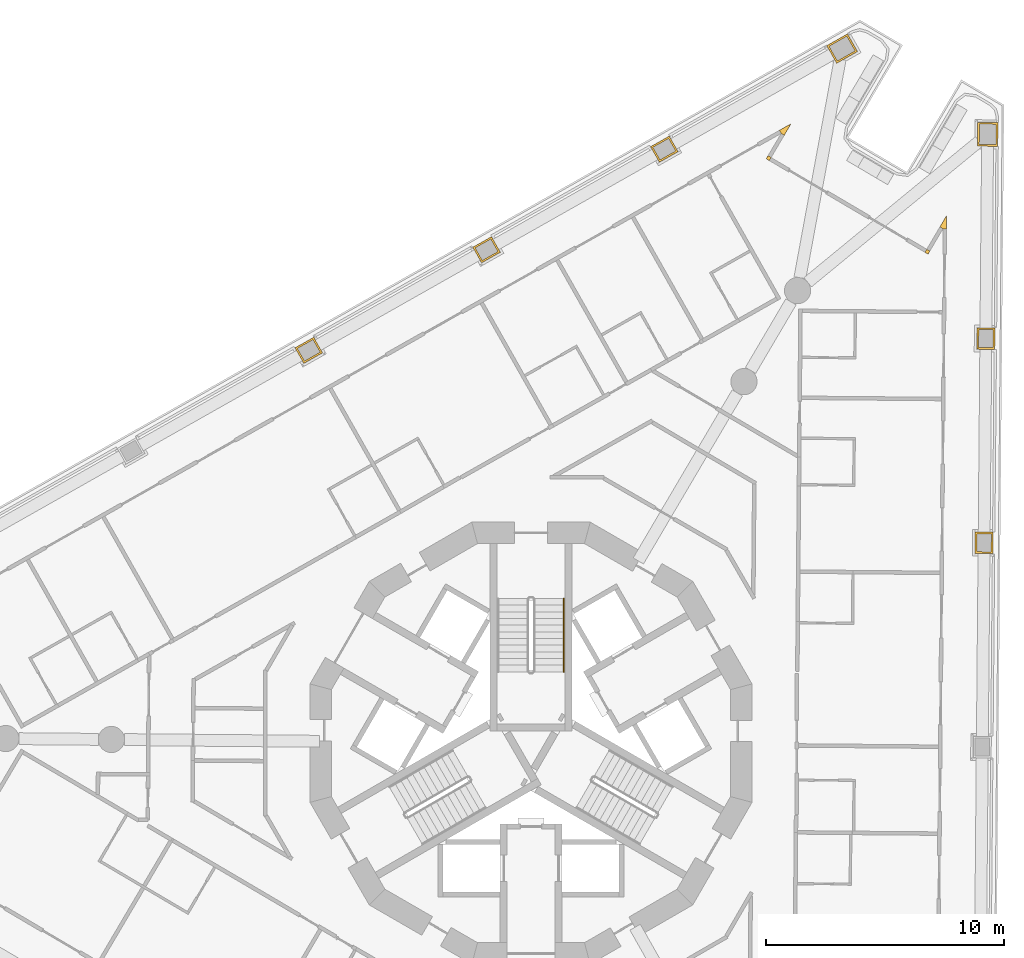
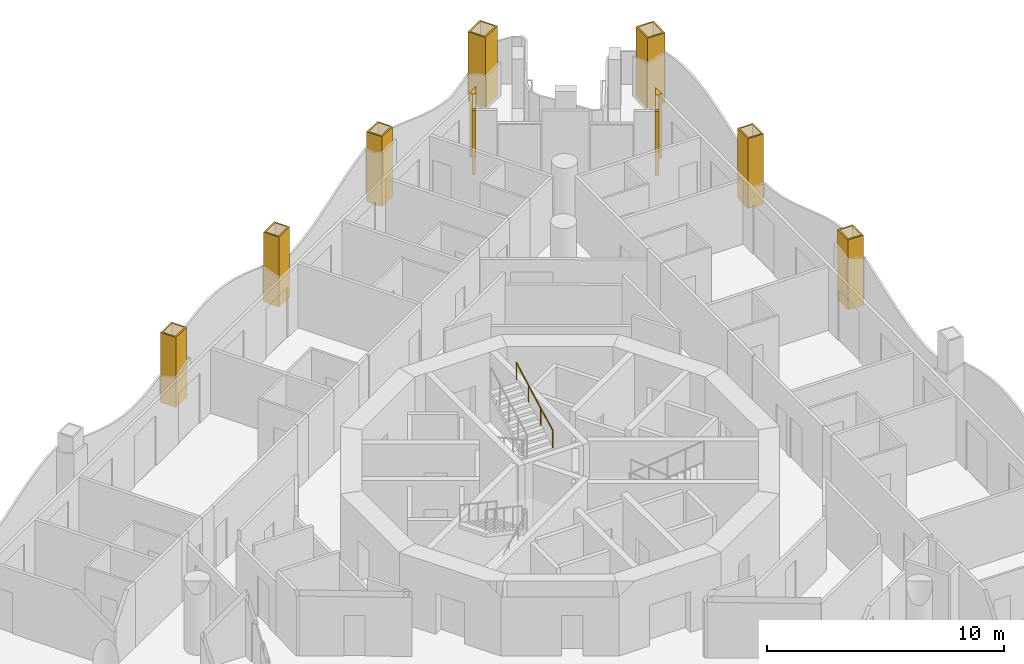
# One storey, part 16 of 17: 11 coverings, 1 railing.
"""IFC4 building model written with IfcOpenShell, lengths in metres."""

from ifc_helpers import new_model, si_unit, direction, frame, origin, origin_2d, place, context, subcontext, project, spatial, polyline, circle, outline, extrude, material, layer, layer_set, type_object, element, save


model = new_model("IFC4")

# Units and contexts
model_context = context("Model", 3, precision=1e-05, world=origin(), true_north=direction((0.0, 1.0)))
body_context = subcontext(model_context, "Body", "Model", "MODEL_VIEW")
ifc_project = project(units=[si_unit("LENGTHUNIT", "METRE"), si_unit("AREAUNIT", "SQUARE_METRE"), si_unit("VOLUMEUNIT", "CUBIC_METRE"), si_unit("PLANEANGLEUNIT", "RADIAN"), si_unit("MASSUNIT", "GRAM", prefix="KILO")], contexts=[model_context])

# Site, building, storey
site_placement = place(None, origin())
site = spatial("IfcSite", under=ifc_project, at=site_placement, CompositionType="ELEMENT")
building_placement = place(site_placement, origin())
building = spatial("IfcBuilding", under=site, at=building_placement, Name="Trine Commons Tower", CompositionType="ELEMENT")
storey_placement = place(building_placement, frame((0.0, 0.0, 164.699951171875)))
storey = spatial("IfcBuildingStorey", under=building, at=storey_placement, Name="L42", CompositionType="ELEMENT", Elevation=164.699951171875)

# Coverings
ifc_material_1 = material(Name="Aluminium-framed insulated wall panel", Category="aluminium")
ifc_layer_1 = layer(ifc_material_1, 0.14990234375)
ifc_layer_set_1 = layer_set([ifc_layer_1], Name="Aluminium-framed insulated wall panel")
covering_type_1 = type_object("IfcCoveringType", Name="Glazing corner post, aluminium", PredefinedType="CLADDING", material=ifc_layer_set_1)
covering_1_placement = place(storey_placement, origin())
element("IfcCovering", 1, at=covering_1_placement, inside=storey, type_object=covering_type_1, Name="Glazing corner post 5-05", PredefinedType="CLADDING", context=body_context, shape_type="SweptSolid", body=[
    extrude(outline(polyline([(90.626220703125, 88.007080078125), (90.910400390625, 88.489501953125), (90.423095703125, 88.213623046875), (90.496826171875, 88.083251953125), (90.626220703125, 88.007080078125)])), origin(), (0.0, 0.0, 1.0), 3.300048828125),
])
covering_2_placement = place(storey_placement, origin())
element("IfcCovering", 2, at=covering_2_placement, inside=storey, type_object=covering_type_1, Name="Glazing corner post 5-06", PredefinedType="CLADDING", context=body_context, shape_type="SweptSolid", body=[
    extrude(outline(polyline([(89.9990234375, 86.9423828125), (90.0751953125, 87.071533203125), (89.94580078125, 87.147705078125), (89.86962890625, 87.018310546875), (89.9990234375, 86.9423828125)])), origin(), (0.0, 0.0, 1.0), 3.300048828125),
])
covering_3_placement = place(storey_placement, origin())
element("IfcCovering", 3, at=covering_3_placement, inside=storey, type_object=covering_type_1, Name="Glazing corner post 5-07", PredefinedType="CLADDING", context=body_context, shape_type="SweptSolid", body=[
    extrude(outline(polyline([(96.530029296875, 83.09521484375), (96.659423828125, 83.01904296875), (96.735595703125, 83.148193359375), (96.606201171875, 83.224365234375), (96.530029296875, 83.09521484375)])), origin(), (0.0, 0.0, 1.0), 3.300048828125),
])
covering_4_placement = place(storey_placement, origin())
element("IfcCovering", 4, at=covering_4_placement, inside=storey, type_object=covering_type_1, Name="Glazing corner post 5-08", PredefinedType="CLADDING", context=body_context, shape_type="SweptSolid", body=[
    extrude(outline(polyline([(97.4365234375, 84.08251953125), (97.44140625, 84.64208984375), (97.1572265625, 84.159912109375), (97.28662109375, 84.083740234375), (97.4365234375, 84.08251953125)])), origin(), (0.0, 0.0, 1.0), 3.300048828125),
])
ifc_material_2 = material(Name="Limestone, honed", Category="masonry")
ifc_layer_2 = layer(ifc_material_2, 0.074951171875)
ifc_layer_set_2 = layer_set([ifc_layer_2], Name="Limestone, honed")
covering_type_2 = type_object("IfcCoveringType", Name="Limestone column cladding 75", PredefinedType="CLADDING", material=ifc_layer_set_2)
covering_5_placement = place(storey_placement, origin())
element("IfcCovering", 5, at=covering_5_placement, inside=storey, type_object=covering_type_2, Name="Limestone pier cladding 5-11", PredefinedType="CLADDING", context=body_context, shape_type="SweptSolid", body=[
    extrude(outline(polyline([(71.2509765625, 78.877685546875), (70.881591796875, 79.530517578125), (70.098388671875, 79.087158203125), (70.4677734375, 78.434326171875), (71.2509765625, 78.877685546875)]), holes=[polyline([(71.148681640625, 78.906005859375), (70.853515625, 79.42822265625), (70.20068359375, 79.058837890625), (70.49609375, 78.53662109375), (71.148681640625, 78.906005859375)])]), origin(), (0.0, 0.0, 1.0), 3.60009765625),
])
covering_6_placement = place(storey_placement, origin())
element("IfcCovering", 6, at=covering_6_placement, inside=storey, type_object=covering_type_2, Name="Limestone pier cladding 5-12", PredefinedType="CLADDING", context=body_context, shape_type="SweptSolid", body=[
    extrude(outline(polyline([(78.71044921875, 83.097900390625), (78.34130859375, 83.750732421875), (77.557861328125, 83.3076171875), (77.92724609375, 82.65478515625), (78.71044921875, 83.097900390625)]), holes=[polyline([(78.6083984375, 83.12646484375), (78.31298828125, 83.648681640625), (77.66015625, 83.279296875), (77.95556640625, 82.757080078125), (78.6083984375, 83.12646484375)])]), origin(), (0.0, 0.0, 1.0), 3.60009765625),
])
covering_7_placement = place(storey_placement, origin())
element("IfcCovering", 7, at=covering_7_placement, inside=storey, type_object=covering_type_2, Name="Limestone pier cladding 5-13", PredefinedType="CLADDING", context=body_context, shape_type="SweptSolid", body=[
    extrude(outline(polyline([(86.169921875, 87.318359375), (85.80078125, 87.97119140625), (85.017333984375, 87.52783203125), (85.38671875, 86.875), (86.169921875, 87.318359375)]), holes=[polyline([(86.06787109375, 87.3466796875), (85.7724609375, 87.868896484375), (85.11962890625, 87.49951171875), (85.4150390625, 86.977294921875), (86.06787109375, 87.3466796875)])]), origin(), (0.0, 0.0, 1.0), 3.60009765625),
])
covering_8_placement = place(storey_placement, origin())
element("IfcCovering", 8, at=covering_8_placement, inside=storey, type_object=covering_type_2, Name="Limestone pier cladding 5-14", PredefinedType="CLADDING", context=body_context, shape_type="SweptSolid", body=[
    extrude(outline(polyline([(93.697509765625, 91.519775390625), (93.279052734375, 92.259521484375), (92.40869140625, 91.76708984375), (92.8271484375, 91.02734375), (93.697509765625, 91.519775390625)]), holes=[polyline([(93.59521484375, 91.548095703125), (93.250732421875, 92.157470703125), (92.510986328125, 91.73876953125), (92.85546875, 91.129638671875), (93.59521484375, 91.548095703125)])]), origin(), (0.0, 0.0, 1.0), 3.60009765625),
])
covering_9_placement = place(storey_placement, origin())
element("IfcCovering", 9, at=covering_9_placement, inside=storey, type_object=covering_type_2, Name="Limestone pier cladding 5-15", PredefinedType="CLADDING", context=body_context, shape_type="SweptSolid", body=[
    extrude(outline(polyline([(99.590576171875, 88.5419921875), (98.740478515625, 88.54931640625), (98.73193359375, 87.54931640625), (99.581787109375, 87.5419921875), (99.590576171875, 88.5419921875)]), holes=[polyline([(99.514892578125, 88.467529296875), (98.81494140625, 88.4736328125), (98.8076171875, 87.623779296875), (99.507568359375, 87.61767578125), (99.514892578125, 88.467529296875)])]), origin(), (0.0, 0.0, 1.0), 3.60009765625),
])
covering_10_placement = place(storey_placement, origin())
element("IfcCovering", 10, at=covering_10_placement, inside=storey, type_object=covering_type_2, Name="Limestone pier cladding 5-16", PredefinedType="CLADDING", context=body_context, shape_type="SweptSolid", body=[
    extrude(outline(polyline([(99.46533203125, 79.922119140625), (98.71533203125, 79.9287109375), (98.70751953125, 79.028564453125), (99.45751953125, 79.02197265625), (99.46533203125, 79.922119140625)]), holes=[polyline([(99.3896484375, 79.84765625), (98.789794921875, 79.852783203125), (98.783203125, 79.102783203125), (99.383056640625, 79.09765625), (99.3896484375, 79.84765625)])]), origin(), (0.0, 0.0, 1.0), 3.60009765625),
])
covering_11_placement = place(storey_placement, origin())
element("IfcCovering", 11, at=covering_11_placement, inside=storey, type_object=covering_type_2, Name="Limestone pier cladding 5-17", PredefinedType="CLADDING", context=body_context, shape_type="SweptSolid", body=[
    extrude(outline(polyline([(99.390380859375, 71.351806640625), (98.640380859375, 71.3583984375), (98.6328125, 70.458251953125), (99.3828125, 70.45166015625), (99.390380859375, 71.351806640625)]), holes=[polyline([(99.31494140625, 71.27734375), (98.71484375, 71.28271484375), (98.708251953125, 70.53271484375), (99.308349609375, 70.52734375), (99.31494140625, 71.27734375)])]), origin(), (0.0, 0.0, 1.0), 3.60009765625),
])

# Railing
ifc_material_3 = material(Name="Stainless steel handrail", Category="steel")
railing_type = type_object("IfcRailingType", Name="Stair handrail, steel 900", PredefinedType="HANDRAIL", material=ifc_material_3)
railing_placement = place(storey_placement, frame((81.375, 65.490478515625, 1.949951171875)))
element("IfcRailing", 12, at=railing_placement, inside=storey, type_object=railing_type, Name="L42 ST1B stair handrail 2", PredefinedType="HANDRAIL", context=body_context, shape_type="SweptSolid", body=[
    extrude(circle(Radius=0.02099609375, at=origin_2d()), frame((0.0, 0.0, 0.87890625), z_axis=(0.0, 0.881467505477, 0.472244678941), x_axis=(-1.0, 0.0, 0.0)), (0.0, 0.0, 1.0), 3.494140625),
    extrude(circle(Radius=0.01513671875, at=origin_2d()), origin(), (0.0, 0.0, 1.0), 0.85791015625),
    extrude(circle(Radius=0.01513671875, at=origin_2d()), frame((0.0, 1.026611328125, 0.550048828125)), (0.0, 0.0, 1.0), 0.85791015625),
    extrude(circle(Radius=0.01513671875, at=origin_2d()), frame((0.0, 2.053466796875, 1.10009765625)), (0.0, 0.0, 1.0), 0.85791015625),
    extrude(circle(Radius=0.01513671875, at=origin_2d()), frame((0.0, 3.080078125, 1.650146484375)), (0.0, 0.0, 1.0), 0.85791015625),
])

save(model, "model.ifc")
